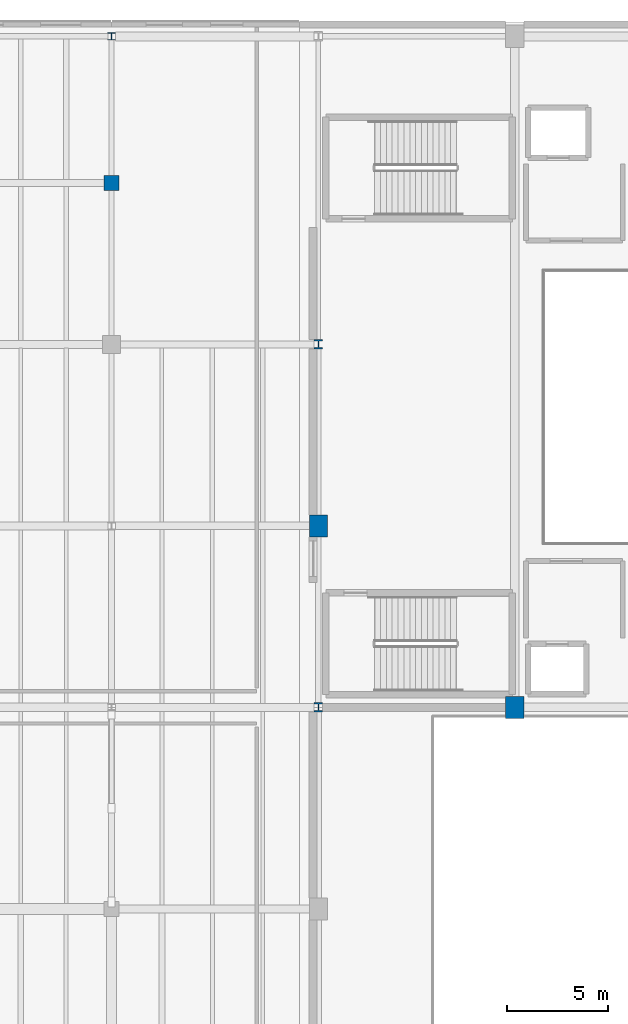
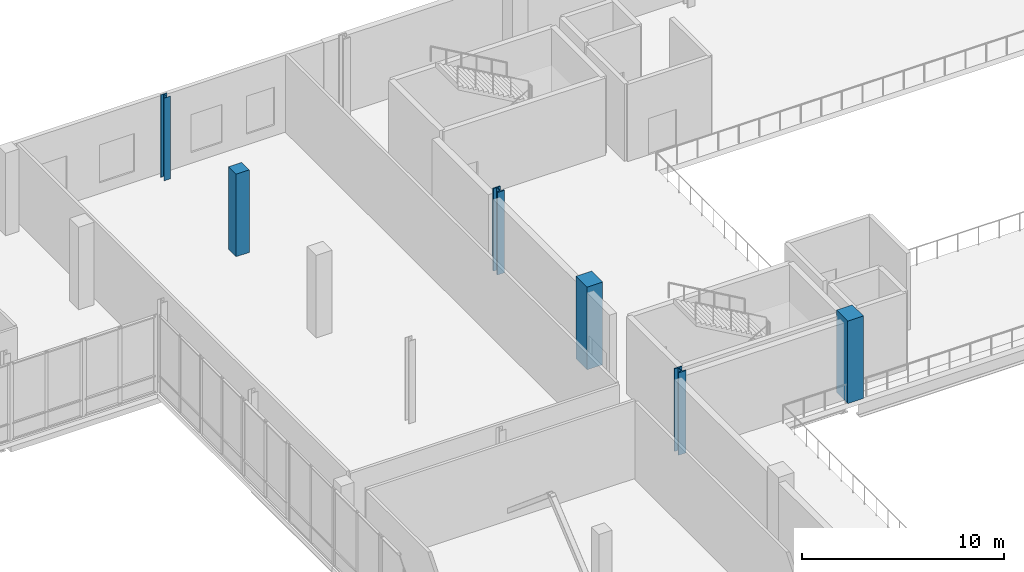
# One storey, part 10 of 73: 6 columns.
"""IFC4 building model written with IfcOpenShell, lengths in metres."""

from ifc_helpers import new_model, si_unit, direction, frame, origin, origin_2d, place, context, subcontext, project, spatial, rectangle, i_section, extrude, material, material_profile, profile_set, type_object, element, save


model = new_model("IFC4")

# Units and contexts
model_context = context("Model", 3, precision=1e-05, world=origin(), true_north=direction((0.0, 1.0)))
body_context = subcontext(model_context, "Body", "Model", "MODEL_VIEW")
ifc_project = project(units=[si_unit("LENGTHUNIT", "METRE"), si_unit("AREAUNIT", "SQUARE_METRE"), si_unit("VOLUMEUNIT", "CUBIC_METRE"), si_unit("PLANEANGLEUNIT", "RADIAN"), si_unit("MASSUNIT", "GRAM", prefix="KILO")], contexts=[model_context])

# Site, building, storey
site_placement = place(None, origin())
site = spatial("IfcSite", under=ifc_project, at=site_placement, CompositionType="ELEMENT")
building_placement = place(site_placement, origin())
building = spatial("IfcBuilding", under=site, at=building_placement, Name="Trimount Lyric Opera House", CompositionType="ELEMENT")
storey_placement = place(building_placement, frame((0.0, 0.0, 10.0)))
storey = spatial("IfcBuildingStorey", under=building, at=storey_placement, Name="L02", CompositionType="ELEMENT", Elevation=10.0)

# Columns
ifc_material_1 = material(Name="Steel ASTM A992 Grade 50", Category="steel")
ifc_material_profile_1 = material_profile(ifc_material_1, i_section(OverallWidth=0.422119140625, OverallDepth=0.465087890625, WebThickness=0.044921875, FlangeThickness=0.072509765625, FilletRadius=0.02001953125, at=origin_2d()), Name="W14X398")
ifc_profile_set_1 = profile_set([ifc_material_profile_1], Name="Steel ASTM A992 Grade 50")
column_type_1 = type_object("IfcColumnType", Name="C-01", PredefinedType="COLUMN", material=ifc_profile_set_1)
for number, where, z_axis, x_axis, name in (
    (1, (64.260009765625, 84.0, 0.0), (0.0, 0.0, 1.0), (1.0, 0.0, 0.0), "L02 column 8/K"),
    (2, (64.260009765625, 102.0, 0.0), (0.0, 0.0, 1.0), (1.0, 0.0, 0.0), "L02 column 8/M"),
):
    element("IfcColumn", number, at=place(storey_placement, frame(where, z_axis=z_axis, x_axis=x_axis)), inside=storey, type_object=column_type_1, Name=name, PredefinedType="COLUMN", context=body_context, shape_type="SweptSolid", body=[
        extrude(i_section(OverallWidth=0.422119140625, OverallDepth=0.465087890625, WebThickness=0.044921875, FlangeThickness=0.072509765625, FilletRadius=0.02001953125, at=origin_2d()), origin(), (0.0, 0.0, 1.0), 5.0),
    ])
ifc_material_2 = material(Name="Steel ASTM A992 Grade 50", Category="steel")
ifc_material_profile_2 = material_profile(ifc_material_2, i_section(OverallWidth=0.367919921875, OverallDepth=0.35595703125, WebThickness=0.01123046875, FlangeThickness=0.01806640625, FilletRadius=0.014892578125, at=origin_2d()), Name="W14X90")
ifc_profile_set_2 = profile_set([ifc_material_profile_2], Name="Steel ASTM A992 Grade 50")
column_type_2 = type_object("IfcColumnType", Name="C-09", PredefinedType="COLUMN", material=ifc_profile_set_2)
column_1_placement = place(storey_placement, frame((54.0, 117.280029296875, 0.0), z_axis=(0.0, 0.0, 1.0), x_axis=(1.0, 0.0, 0.0)))
element("IfcColumn", 3, at=column_1_placement, inside=storey, type_object=column_type_2, Name="L02 column 7/P", PredefinedType="COLUMN", context=body_context, shape_type="SweptSolid", body=[
    extrude(i_section(OverallWidth=0.367919921875, OverallDepth=0.35595703125, WebThickness=0.01123046875, FlangeThickness=0.01806640625, FilletRadius=0.014892578125, at=origin_2d()), origin(), (0.0, 0.0, 1.0), 5.0),
])
ifc_material_3 = material(Name="Concrete C50/60", Category="concrete")
ifc_material_profile_3 = material_profile(ifc_material_3, rectangle(XDim=0.89990234375, YDim=1.10009765625, at=origin_2d()), Name="RC1100X900")
ifc_profile_set_3 = profile_set([ifc_material_profile_3], Name="Concrete C50/60")
column_type_3 = type_object("IfcColumnType", Name="C-11", PredefinedType="COLUMN", material=ifc_profile_set_3)
for number, where, z_axis, x_axis, name in (
    (4, (64.260009765625, 93.0, 0.0), (0.0, 0.0, 1.0), (1.0, 0.0, 0.0), "L02 column 8/L"),
    (5, (74.0, 84.0, 0.0), (0.0, 0.0, 1.0), (1.0, 0.0, 0.0), "L02 column 9/K"),
):
    element("IfcColumn", number, at=place(storey_placement, frame(where, z_axis=z_axis, x_axis=x_axis)), inside=storey, type_object=column_type_3, Name=name, PredefinedType="COLUMN", context=body_context, shape_type="SweptSolid", body=[
        extrude(rectangle(XDim=0.89990234375, YDim=1.10009765625, at=origin_2d()), origin(), (0.0, 0.0, 1.0), 5.0),
    ])
ifc_material_4 = material(Name="Concrete C40/50", Category="concrete")
ifc_material_profile_4 = material_profile(ifc_material_4, rectangle(XDim=0.75, YDim=0.75, at=origin_2d()), Name="RC750X750")
ifc_profile_set_4 = profile_set([ifc_material_profile_4], Name="Concrete C40/50")
column_type_4 = type_object("IfcColumnType", Name="C-15", PredefinedType="COLUMN", material=ifc_profile_set_4)
column_2_placement = place(storey_placement, frame((54.0, 110.0, 0.0), z_axis=(0.0, 0.0, 1.0), x_axis=(1.0, 0.0, 0.0)))
element("IfcColumn", 6, at=column_2_placement, inside=storey, type_object=column_type_4, Name="L02 column 7/N", PredefinedType="COLUMN", context=body_context, shape_type="SweptSolid", body=[
    extrude(rectangle(XDim=0.75, YDim=0.75, at=origin_2d()), origin(), (0.0, 0.0, 1.0), 5.0),
])

save(model, "model.ifc")
